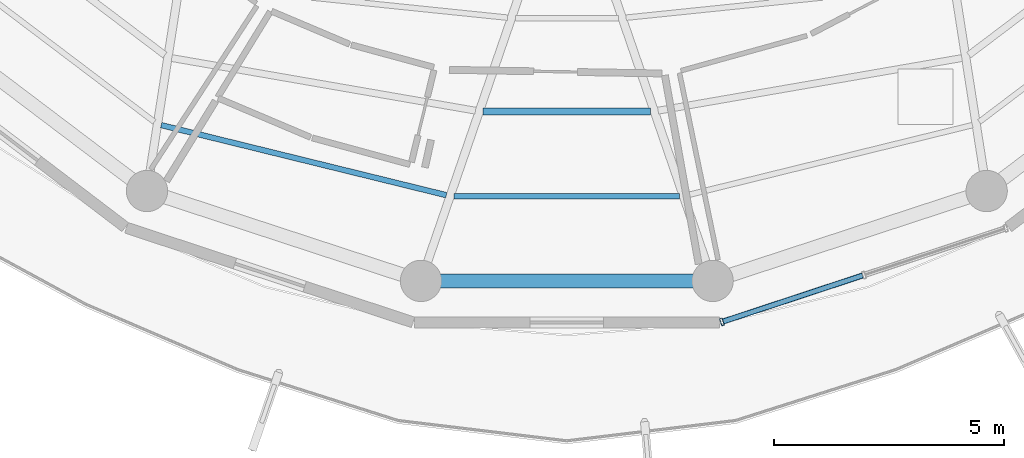
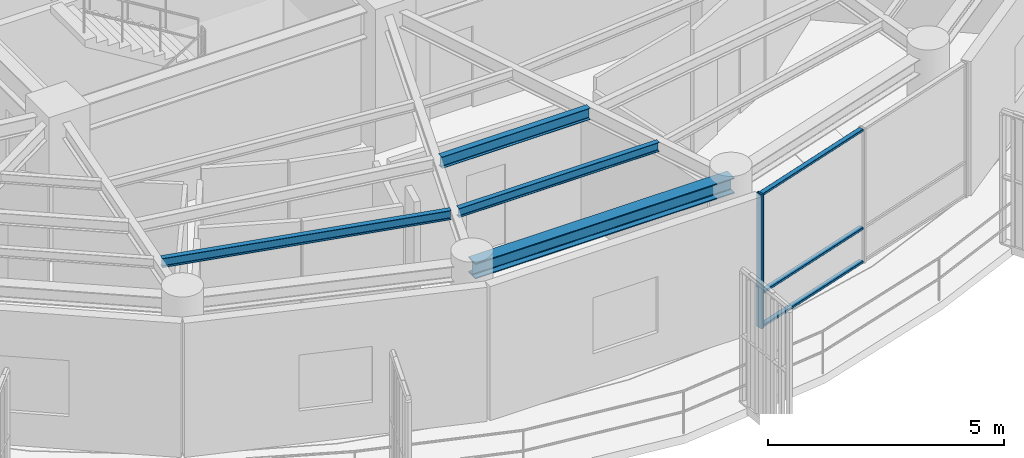
# One storey, part 3 of 24: 4 beams, 4 members, 1 element without a shape of its own.
"""IFC4 building model written with IfcOpenShell, lengths in metres."""

from ifc_helpers import new_model, si_unit, direction, frame, origin, origin_2d, place, context, subcontext, project, spatial, hollow_rectangle, i_section, extrude, material, layer, layer_set, material_profile, profile_set, type_object, element, aggregate, save


model = new_model("IFC4")

# Units and contexts
model_context = context("Model", 3, precision=1e-05, world=origin(), true_north=direction((0.0, 1.0)))
body_context = subcontext(model_context, "Body", "Model", "MODEL_VIEW")
ifc_project = project(units=[si_unit("LENGTHUNIT", "METRE"), si_unit("AREAUNIT", "SQUARE_METRE"), si_unit("VOLUMEUNIT", "CUBIC_METRE"), si_unit("PLANEANGLEUNIT", "RADIAN"), si_unit("MASSUNIT", "GRAM", prefix="KILO")], contexts=[model_context])

# Site, building, storey
site_placement = place(None, origin())
site = spatial("IfcSite", under=ifc_project, at=site_placement, CompositionType="ELEMENT")
building_placement = place(site_placement, origin())
building = spatial("IfcBuilding", under=site, at=building_placement, Name="Kelanora Arch Commons", CompositionType="ELEMENT")
storey_placement = place(building_placement, frame((0.0, 0.0, 248.699951171875)))
storey = spatial("IfcBuildingStorey", under=building, at=storey_placement, Name="L63", CompositionType="ELEMENT", Elevation=248.699951171875)

# Beams
ifc_material_1 = material(Name="Steel S355", Category="steel")
ifc_material_profile_1 = material_profile(ifc_material_1, i_section(OverallWidth=0.14990234375, OverallDepth=0.300048828125, WebThickness=0.007080078125, FlangeThickness=0.0107421875, FilletRadius=0.014892578125, at=origin_2d()), Name="IPE300")
ifc_profile_set_1 = profile_set([ifc_material_profile_1], Name="Steel S355")
beam_type_1 = type_object("IfcBeamType", Name="BM-JST-01", PredefinedType="JOIST", material=ifc_profile_set_1)
beam_1_placement = place(storey_placement, frame((72.180419921875, 45.462158203125, 3.340087890625), z_axis=(1.0, 0.0, 0.0), x_axis=(0.0, 1.0, 0.0)))
element("IfcBeam", 1, at=beam_1_placement, inside=storey, type_object=beam_type_1, Name="Secondary Chord Joist BJB-26 L63", PredefinedType="JOIST", context=body_context, shape_type="SweptSolid", body=[
    extrude(i_section(OverallWidth=0.14990234375, OverallDepth=0.300048828125, WebThickness=0.007080078125, FlangeThickness=0.0107421875, FilletRadius=0.014892578125, at=origin_2d()), origin(), (0.0, 0.0, 1.0), 3.63916015625),
])
ifc_material_profile_2 = material_profile(ifc_material_1, i_section(OverallWidth=0.1201171875, OverallDepth=0.239990234375, WebThickness=0.006103515625, FlangeThickness=0.009765625, FilletRadius=0.014892578125, at=origin_2d()), Name="IPE240")
ifc_profile_set_2 = profile_set([ifc_material_profile_2], Name="Steel S355")
beam_type_2 = type_object("IfcBeamType", Name="BM-JST-02", PredefinedType="JOIST", material=ifc_profile_set_2)
beam_2_placement = place(storey_placement, frame((65.17041015625, 45.162109375, 3.3701171875), z_axis=(0.971109719488, -0.23863342749, 0.0), x_axis=(0.23863342749, 0.971109719488, 0.0)))
element("IfcBeam", 2, at=beam_2_placement, inside=storey, type_object=beam_type_2, Name="Secondary Chord Joist BJC-24 L63", PredefinedType="JOIST", context=body_context, shape_type="SweptSolid", body=[
    extrude(i_section(OverallWidth=0.1201171875, OverallDepth=0.239990234375, WebThickness=0.006103515625, FlangeThickness=0.009765625, FilletRadius=0.014892578125, at=origin_2d()), origin(), (0.0, 0.0, 1.0), 6.39208984375),
])
beam_3_placement = place(storey_placement, frame((71.545654296875, 43.6162109375, 3.3701171875), z_axis=(1.0, 0.0, 0.0), x_axis=(0.0, 1.0, 0.0)))
element("IfcBeam", 3, at=beam_3_placement, inside=storey, type_object=beam_type_2, Name="Secondary Chord Joist BJC-26 L63", PredefinedType="JOIST", context=body_context, shape_type="SweptSolid", body=[
    extrude(i_section(OverallWidth=0.1201171875, OverallDepth=0.239990234375, WebThickness=0.006103515625, FlangeThickness=0.009765625, FilletRadius=0.014892578125, at=origin_2d()), origin(), (0.0, 0.0, 1.0), 4.90869140625),
])
ifc_material_profile_3 = material_profile(ifc_material_1, i_section(OverallWidth=0.300048828125, OverallDepth=0.39990234375, WebThickness=0.013427734375, FlangeThickness=0.02392578125, FilletRadius=0.027099609375, at=origin_2d()), Name="HEB400")
ifc_profile_set_3 = profile_set([ifc_material_profile_3], Name="Steel S355")
beam_type_3 = type_object("IfcBeamType", Name="BM-SPN-Z4", PredefinedType="SPANDREL", material=ifc_profile_set_3)
beam_4_placement = place(storey_placement, frame((70.82568359375, 41.7705078125, 3.2900390625), z_axis=(1.0, 0.0, 0.0), x_axis=(0.0, 1.0, 0.0)))
element("IfcBeam", 4, at=beam_4_placement, inside=storey, type_object=beam_type_3, Name="Perimeter Spandrel Beam BS-26 L63", PredefinedType="SPANDREL", context=body_context, shape_type="SweptSolid", body=[
    extrude(i_section(OverallWidth=0.300048828125, OverallDepth=0.39990234375, WebThickness=0.013427734375, FlangeThickness=0.02392578125, FilletRadius=0.027099609375, at=origin_2d()), origin(), (0.0, 0.0, 1.0), 6.3486328125),
])

# Curtain wall, members
ifc_material_2 = material(Name="Terracotta ceramic-fritted low-E glass and aluminium", Category="masonry")
ifc_layer = layer(ifc_material_2, 0.18994140625)
ifc_layer_set = layer_set([ifc_layer], Name="Terracotta ceramic-fritted low-E glass and aluminium")
curtain_wall_type = type_object("IfcCurtainWallType", Name="CW-SYS-03", PredefinedType="NOTDEFINED", material=ifc_layer_set)
curtain_wall_placement = place(storey_placement, origin())
curtain_wall = element("IfcCurtainWall", 5, at=curtain_wall_placement, inside=storey, type_object=curtain_wall_type, Name="Unitised Curtain Wall L63-B14", PredefinedType="NOTDEFINED")
ifc_material_3 = material(Name="Powder-coated aluminium terracotta", Category="masonry")
ifc_material_profile_4 = material_profile(ifc_material_3, hollow_rectangle(XDim=0.159912109375, YDim=0.06005859375, WallThickness=0.0048828125, InnerFilletRadius=0.0048828125, OuterFilletRadius=0.010009765625, at=origin_2d()), Name="CWM160x60")
ifc_profile_set_4 = profile_set([ifc_material_profile_4], Name="Powder-coated aluminium terracotta")
member_type_1 = type_object("IfcMemberType", Name="CWM-STD", PredefinedType="MULLION", material=ifc_profile_set_4)
member_1_placement = place(storey_placement, frame((77.376708984375, 40.87841796875, 0.0), z_axis=(0.0, 0.0, 1.0), x_axis=(-0.313252785344, 0.949669780752, 0.0)))
member_1 = element("IfcMember", 6, at=member_1_placement, type_object=member_type_1, Name="CW-03 mullion 1", PredefinedType="MULLION", context=body_context, shape_type="SweptSolid", body=[
    extrude(hollow_rectangle(XDim=0.159912109375, YDim=0.06005859375, WallThickness=0.0048828125, InnerFilletRadius=0.0048828125, OuterFilletRadius=0.010009765625, at=origin_2d()), origin(), (0.0, 0.0, 1.0), 3.47509765625),
])
ifc_material_profile_5 = material_profile(ifc_material_3, hollow_rectangle(XDim=0.1201171875, YDim=0.06005859375, WallThickness=0.0048828125, InnerFilletRadius=0.0048828125, OuterFilletRadius=0.010009765625, at=origin_2d()), Name="CWT120x60")
ifc_profile_set_5 = profile_set([ifc_material_profile_5], Name="Powder-coated aluminium terracotta")
member_type_2 = type_object("IfcMemberType", Name="CWT-STD", PredefinedType="USERDEFINED", material=ifc_profile_set_5)
member_2_placement = place(storey_placement, frame((77.4052734375, 40.8876953125, 0.030029296875), z_axis=(0.949649574195, 0.313314037719, 0.0), x_axis=(-0.313314037719, 0.949649574195, 0.0)))
member_2 = element("IfcMember", 7, at=member_2_placement, type_object=member_type_2, Name="CW-03 transom 1.1", ObjectType="TRANSOM", PredefinedType="USERDEFINED", context=body_context, shape_type="SweptSolid", body=[
    extrude(hollow_rectangle(XDim=0.1201171875, YDim=0.06005859375, WallThickness=0.0048828125, InnerFilletRadius=0.0048828125, OuterFilletRadius=0.010009765625, at=origin_2d()), origin(), (0.0, 0.0, 1.0), 3.194091796875),
])
member_3_placement = place(storey_placement, frame((77.4052734375, 40.8876953125, 0.900146484375), z_axis=(0.949649574195, 0.313314037719, 0.0), x_axis=(-0.313314037719, 0.949649574195, 0.0)))
member_3 = element("IfcMember", 8, at=member_3_placement, type_object=member_type_2, Name="CW-03 transom 1.2", ObjectType="TRANSOM", PredefinedType="USERDEFINED", context=body_context, shape_type="SweptSolid", body=[
    extrude(hollow_rectangle(XDim=0.1201171875, YDim=0.06005859375, WallThickness=0.0048828125, InnerFilletRadius=0.0048828125, OuterFilletRadius=0.010009765625, at=origin_2d()), origin(), (0.0, 0.0, 1.0), 3.194091796875),
])
member_4_placement = place(storey_placement, frame((77.4052734375, 40.8876953125, 3.445068359375), z_axis=(0.949649574195, 0.313314037719, 0.0), x_axis=(-0.313314037719, 0.949649574195, 0.0)))
member_4 = element("IfcMember", 9, at=member_4_placement, type_object=member_type_2, Name="CW-03 transom 1.3", ObjectType="TRANSOM", PredefinedType="USERDEFINED", context=body_context, shape_type="SweptSolid", body=[
    extrude(hollow_rectangle(XDim=0.1201171875, YDim=0.06005859375, WallThickness=0.0048828125, InnerFilletRadius=0.0048828125, OuterFilletRadius=0.010009765625, at=origin_2d()), origin(), (0.0, 0.0, 1.0), 3.194091796875),
])
aggregate(curtain_wall, [member_1, member_2, member_3, member_4])

save(model, "model.ifc")
